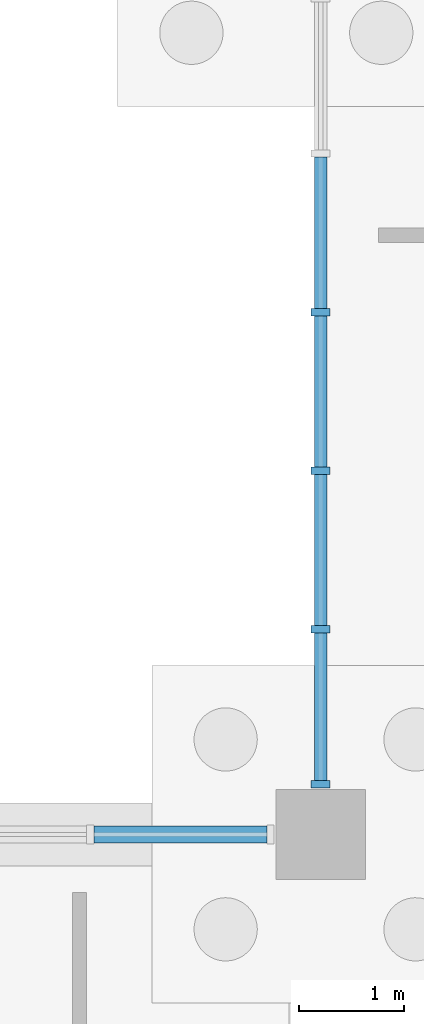
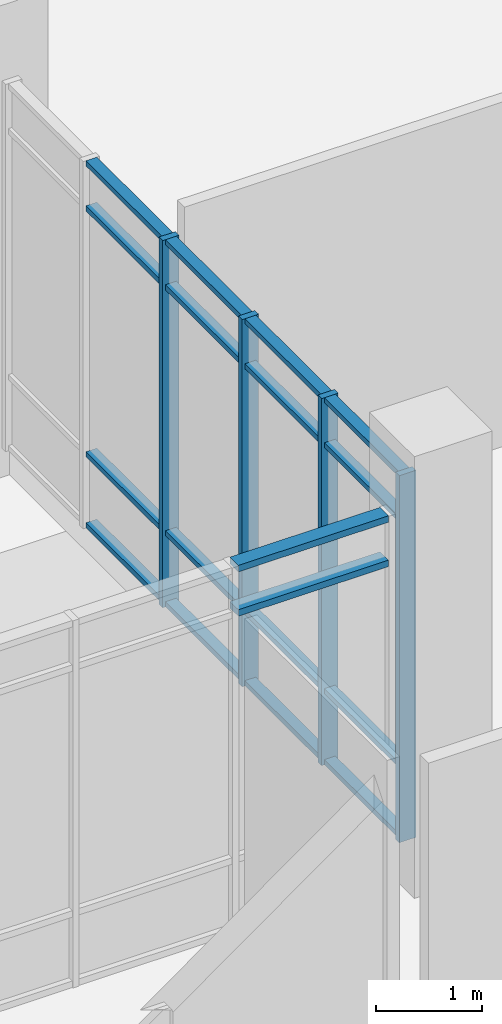
# One storey, part 51 of 136: 22 members, 2 elements without a shape of their own.
"""IFC4 building model written with IfcOpenShell, lengths in metres."""

from ifc_helpers import new_model, si_unit, direction, frame, origin, origin_2d, place, context, subcontext, project, spatial, rectangle, extrude, material, material_profile, profile_set, type_object, element, aggregate, save


model = new_model("IFC4")

# Units and contexts
model_context = context("Model", 3, precision=1e-05, world=origin(), true_north=direction((0.0, 1.0)))
body_context = subcontext(model_context, "Body", "Model", "MODEL_VIEW")
ifc_project = project(units=[si_unit("LENGTHUNIT", "METRE"), si_unit("AREAUNIT", "SQUARE_METRE"), si_unit("VOLUMEUNIT", "CUBIC_METRE"), si_unit("PLANEANGLEUNIT", "RADIAN"), si_unit("MASSUNIT", "GRAM", prefix="KILO")], contexts=[model_context])

# Site, building, storey
site_placement = place(None, origin())
site = spatial("IfcSite", under=ifc_project, at=site_placement, CompositionType="ELEMENT")
building_placement = place(site_placement, origin())
building = spatial("IfcBuilding", under=site, at=building_placement, Name="Oolite Switchyard Hospital", CompositionType="ELEMENT")
storey_placement = place(building_placement, origin())
storey = spatial("IfcBuildingStorey", under=building, at=storey_placement, Name="L00", CompositionType="ELEMENT", Elevation=0.0)

# Curtain wall, members
ifc_material_1 = material(Name="Thermally broken aluminum frame with laminated impact glazing", Category="aluminium")
curtain_wall_type_1 = type_object("IfcCurtainWallType", Name="CW-UNIT-84X51", PredefinedType="USERDEFINED", material=ifc_material_1)
curtain_wall_1_placement = place(storey_placement, origin())
curtain_wall_1 = element("IfcCurtainWall", 1, at=curtain_wall_1_placement, inside=storey, type_object=curtain_wall_type_1, Name="L00 Unitised Curtain Wall 82", ObjectType="UNITISED", PredefinedType="USERDEFINED")
ifc_material_2 = material(Name="Aluminium 6063-T6", Category="aluminium")
ifc_material_profile_1 = material_profile(ifc_material_2, rectangle(XDim=0.179931640625, YDim=0.070068359375, at=origin_2d()), Name="CWM70X180")
ifc_profile_set_1 = profile_set([ifc_material_profile_1], Name="Aluminium 6063-T6")
member_type_1 = type_object("IfcMemberType", Name="CW-MUL-220", PredefinedType="MULLION", material=ifc_profile_set_1)
member_1_placement = place(storey_placement, frame((182.39990234375, 25.675048828125, 0.0), z_axis=(0.0, 0.0, 1.0), x_axis=(-1.0, 0.0, 0.0)))
member_1 = element("IfcMember", 2, at=member_1_placement, type_object=member_type_1, Name="CW-06 mullion 1", PredefinedType="MULLION", context=body_context, shape_type="SweptSolid", body=[
    extrude(rectangle(XDim=0.179931640625, YDim=0.070068359375, at=origin_2d()), origin(), (0.0, 0.0, 1.0), 4.239990234375),
])
member_2_placement = place(storey_placement, frame((182.39990234375, 27.14404296875, 0.0), z_axis=(0.0, 0.0, 1.0), x_axis=(-1.0, 0.0, 0.0)))
member_2 = element("IfcMember", 3, at=member_2_placement, type_object=member_type_1, Name="CW-06 mullion 2", PredefinedType="MULLION", context=body_context, shape_type="SweptSolid", body=[
    extrude(rectangle(XDim=0.179931640625, YDim=0.070068359375, at=origin_2d()), origin(), (0.0, 0.0, 1.0), 4.239990234375),
])
member_3_placement = place(storey_placement, frame((182.39990234375, 28.64794921875, 0.0), z_axis=(0.0, 0.0, 1.0), x_axis=(-1.0, 0.0, 0.0)))
member_3 = element("IfcMember", 4, at=member_3_placement, type_object=member_type_1, Name="CW-06 mullion 3", PredefinedType="MULLION", context=body_context, shape_type="SweptSolid", body=[
    extrude(rectangle(XDim=0.179931640625, YDim=0.070068359375, at=origin_2d()), origin(), (0.0, 0.0, 1.0), 4.239990234375),
])
member_4_placement = place(storey_placement, frame((182.39990234375, 30.152099609375, 0.0), z_axis=(0.0, 0.0, 1.0), x_axis=(-1.0, 0.0, 0.0)))
member_4 = element("IfcMember", 5, at=member_4_placement, type_object=member_type_1, Name="CW-06 mullion 4", PredefinedType="MULLION", context=body_context, shape_type="SweptSolid", body=[
    extrude(rectangle(XDim=0.179931640625, YDim=0.070068359375, at=origin_2d()), origin(), (0.0, 0.0, 1.0), 4.239990234375),
])
ifc_material_profile_2 = material_profile(ifc_material_2, rectangle(XDim=0.1201171875, YDim=0.06005859375, at=origin_2d()), Name="CWT60X120")
ifc_profile_set_2 = profile_set([ifc_material_profile_2], Name="Aluminium 6063-T6")
member_type_2 = type_object("IfcMemberType", Name="CW-TRN-150", PredefinedType="USERDEFINED", material=ifc_profile_set_2)
member_5_placement = place(storey_placement, frame((182.39990234375, 25.7099609375, 0.030029296875), z_axis=(0.0, 1.0, 0.0), x_axis=(-1.0, 0.0, 0.0)))
member_5 = element("IfcMember", 6, at=member_5_placement, type_object=member_type_2, Name="CW-06 transom 1.1", ObjectType="TRANSOM", PredefinedType="USERDEFINED", context=body_context, shape_type="SweptSolid", body=[
    extrude(rectangle(XDim=0.1201171875, YDim=0.06005859375, at=origin_2d()), origin(), (0.0, 0.0, 1.0), 1.39892578125),
])
member_6_placement = place(storey_placement, frame((182.39990234375, 25.7099609375, 0.85009765625), z_axis=(0.0, 1.0, 0.0), x_axis=(-1.0, 0.0, 0.0)))
member_6 = element("IfcMember", 7, at=member_6_placement, type_object=member_type_2, Name="CW-06 transom 1.2", ObjectType="TRANSOM", PredefinedType="USERDEFINED", context=body_context, shape_type="SweptSolid", body=[
    extrude(rectangle(XDim=0.1201171875, YDim=0.06005859375, at=origin_2d()), origin(), (0.0, 0.0, 1.0), 1.39892578125),
])
member_7_placement = place(storey_placement, frame((182.39990234375, 25.7099609375, 3.68994140625), z_axis=(0.0, 1.0, 0.0), x_axis=(-1.0, 0.0, 0.0)))
member_7 = element("IfcMember", 8, at=member_7_placement, type_object=member_type_2, Name="CW-06 transom 1.3", ObjectType="TRANSOM", PredefinedType="USERDEFINED", context=body_context, shape_type="SweptSolid", body=[
    extrude(rectangle(XDim=0.1201171875, YDim=0.06005859375, at=origin_2d()), origin(), (0.0, 0.0, 1.0), 1.39892578125),
])
member_8_placement = place(storey_placement, frame((182.39990234375, 25.7099609375, 4.2099609375), z_axis=(0.0, 1.0, 0.0), x_axis=(-1.0, 0.0, 0.0)))
member_8 = element("IfcMember", 9, at=member_8_placement, type_object=member_type_2, Name="CW-06 transom 1.4", ObjectType="TRANSOM", PredefinedType="USERDEFINED", context=body_context, shape_type="SweptSolid", body=[
    extrude(rectangle(XDim=0.1201171875, YDim=0.06005859375, at=origin_2d()), origin(), (0.0, 0.0, 1.0), 1.39892578125),
])
member_9_placement = place(storey_placement, frame((182.39990234375, 27.178955078125, 0.030029296875), z_axis=(0.0, 1.0, 0.0), x_axis=(-1.0, 0.0, 0.0)))
member_9 = element("IfcMember", 10, at=member_9_placement, type_object=member_type_2, Name="CW-06 transom 2.1", ObjectType="TRANSOM", PredefinedType="USERDEFINED", context=body_context, shape_type="SweptSolid", body=[
    extrude(rectangle(XDim=0.1201171875, YDim=0.06005859375, at=origin_2d()), origin(), (0.0, 0.0, 1.0), 1.43408203125),
])
member_10_placement = place(storey_placement, frame((182.39990234375, 27.178955078125, 0.85009765625), z_axis=(0.0, 1.0, 0.0), x_axis=(-1.0, 0.0, 0.0)))
member_10 = element("IfcMember", 11, at=member_10_placement, type_object=member_type_2, Name="CW-06 transom 2.2", ObjectType="TRANSOM", PredefinedType="USERDEFINED", context=body_context, shape_type="SweptSolid", body=[
    extrude(rectangle(XDim=0.1201171875, YDim=0.06005859375, at=origin_2d()), origin(), (0.0, 0.0, 1.0), 1.43408203125),
])
member_11_placement = place(storey_placement, frame((182.39990234375, 27.178955078125, 3.68994140625), z_axis=(0.0, 1.0, 0.0), x_axis=(-1.0, 0.0, 0.0)))
member_11 = element("IfcMember", 12, at=member_11_placement, type_object=member_type_2, Name="CW-06 transom 2.3", ObjectType="TRANSOM", PredefinedType="USERDEFINED", context=body_context, shape_type="SweptSolid", body=[
    extrude(rectangle(XDim=0.1201171875, YDim=0.06005859375, at=origin_2d()), origin(), (0.0, 0.0, 1.0), 1.43408203125),
])
member_12_placement = place(storey_placement, frame((182.39990234375, 27.178955078125, 4.2099609375), z_axis=(0.0, 1.0, 0.0), x_axis=(-1.0, 0.0, 0.0)))
member_12 = element("IfcMember", 13, at=member_12_placement, type_object=member_type_2, Name="CW-06 transom 2.4", ObjectType="TRANSOM", PredefinedType="USERDEFINED", context=body_context, shape_type="SweptSolid", body=[
    extrude(rectangle(XDim=0.1201171875, YDim=0.06005859375, at=origin_2d()), origin(), (0.0, 0.0, 1.0), 1.43408203125),
])
member_13_placement = place(storey_placement, frame((182.39990234375, 28.68310546875, 0.030029296875), z_axis=(0.0, 1.0, 0.0), x_axis=(-1.0, 0.0, 0.0)))
member_13 = element("IfcMember", 14, at=member_13_placement, type_object=member_type_2, Name="CW-06 transom 3.1", ObjectType="TRANSOM", PredefinedType="USERDEFINED", context=body_context, shape_type="SweptSolid", body=[
    extrude(rectangle(XDim=0.1201171875, YDim=0.06005859375, at=origin_2d()), origin(), (0.0, 0.0, 1.0), 1.433837890625),
])
member_14_placement = place(storey_placement, frame((182.39990234375, 28.68310546875, 0.85009765625), z_axis=(0.0, 1.0, 0.0), x_axis=(-1.0, 0.0, 0.0)))
member_14 = element("IfcMember", 15, at=member_14_placement, type_object=member_type_2, Name="CW-06 transom 3.2", ObjectType="TRANSOM", PredefinedType="USERDEFINED", context=body_context, shape_type="SweptSolid", body=[
    extrude(rectangle(XDim=0.1201171875, YDim=0.06005859375, at=origin_2d()), origin(), (0.0, 0.0, 1.0), 1.433837890625),
])
member_15_placement = place(storey_placement, frame((182.39990234375, 28.68310546875, 3.68994140625), z_axis=(0.0, 1.0, 0.0), x_axis=(-1.0, 0.0, 0.0)))
member_15 = element("IfcMember", 16, at=member_15_placement, type_object=member_type_2, Name="CW-06 transom 3.3", ObjectType="TRANSOM", PredefinedType="USERDEFINED", context=body_context, shape_type="SweptSolid", body=[
    extrude(rectangle(XDim=0.1201171875, YDim=0.06005859375, at=origin_2d()), origin(), (0.0, 0.0, 1.0), 1.433837890625),
])
member_16_placement = place(storey_placement, frame((182.39990234375, 28.68310546875, 4.2099609375), z_axis=(0.0, 1.0, 0.0), x_axis=(-1.0, 0.0, 0.0)))
member_16 = element("IfcMember", 17, at=member_16_placement, type_object=member_type_2, Name="CW-06 transom 3.4", ObjectType="TRANSOM", PredefinedType="USERDEFINED", context=body_context, shape_type="SweptSolid", body=[
    extrude(rectangle(XDim=0.1201171875, YDim=0.06005859375, at=origin_2d()), origin(), (0.0, 0.0, 1.0), 1.433837890625),
])
member_17_placement = place(storey_placement, frame((182.39990234375, 30.18701171875, 0.030029296875), z_axis=(0.0, 1.0, 0.0), x_axis=(-1.0, 0.0, 0.0)))
member_17 = element("IfcMember", 18, at=member_17_placement, type_object=member_type_2, Name="CW-06 transom 4.1", ObjectType="TRANSOM", PredefinedType="USERDEFINED", context=body_context, shape_type="SweptSolid", body=[
    extrude(rectangle(XDim=0.1201171875, YDim=0.06005859375, at=origin_2d()), origin(), (0.0, 0.0, 1.0), 1.43408203125),
])
member_18_placement = place(storey_placement, frame((182.39990234375, 30.18701171875, 0.85009765625), z_axis=(0.0, 1.0, 0.0), x_axis=(-1.0, 0.0, 0.0)))
member_18 = element("IfcMember", 19, at=member_18_placement, type_object=member_type_2, Name="CW-06 transom 4.2", ObjectType="TRANSOM", PredefinedType="USERDEFINED", context=body_context, shape_type="SweptSolid", body=[
    extrude(rectangle(XDim=0.1201171875, YDim=0.06005859375, at=origin_2d()), origin(), (0.0, 0.0, 1.0), 1.43408203125),
])
member_19_placement = place(storey_placement, frame((182.39990234375, 30.18701171875, 3.68994140625), z_axis=(0.0, 1.0, 0.0), x_axis=(-1.0, 0.0, 0.0)))
member_19 = element("IfcMember", 20, at=member_19_placement, type_object=member_type_2, Name="CW-06 transom 4.3", ObjectType="TRANSOM", PredefinedType="USERDEFINED", context=body_context, shape_type="SweptSolid", body=[
    extrude(rectangle(XDim=0.1201171875, YDim=0.06005859375, at=origin_2d()), origin(), (0.0, 0.0, 1.0), 1.43408203125),
])
member_20_placement = place(storey_placement, frame((182.39990234375, 30.18701171875, 4.2099609375), z_axis=(0.0, 1.0, 0.0), x_axis=(-1.0, 0.0, 0.0)))
member_20 = element("IfcMember", 21, at=member_20_placement, type_object=member_type_2, Name="CW-06 transom 4.4", ObjectType="TRANSOM", PredefinedType="USERDEFINED", context=body_context, shape_type="SweptSolid", body=[
    extrude(rectangle(XDim=0.1201171875, YDim=0.06005859375, at=origin_2d()), origin(), (0.0, 0.0, 1.0), 1.43408203125),
])
aggregate(curtain_wall_1, [member_1, member_2, member_3, member_4, member_5, member_6, member_7, member_8, member_9, member_10, member_11, member_12, member_13, member_14, member_15, member_16, member_17, member_18, member_19, member_20])

curtain_wall_type_2 = type_object("IfcCurtainWallType", Name="CW-UNIT-96X51", PredefinedType="USERDEFINED", material=ifc_material_1)
curtain_wall_2_placement = place(storey_placement, origin())
curtain_wall_2 = element("IfcCurtainWall", 22, at=curtain_wall_2_placement, inside=storey, type_object=curtain_wall_type_2, Name="L00 Unitised Curtain Wall 13", ObjectType="UNITISED", PredefinedType="USERDEFINED")
ifc_material_profile_3 = material_profile(ifc_material_2, rectangle(XDim=0.159912109375, YDim=0.074951171875, at=origin_2d()), Name="CWT75X160")
ifc_profile_set_3 = profile_set([ifc_material_profile_3], Name="Aluminium 6063-T6")
member_type_3 = type_object("IfcMemberType", Name="CW-TRN-180", PredefinedType="USERDEFINED", material=ifc_profile_set_3)
member_21_placement = place(storey_placement, frame((180.2509765625, 25.199951171875, 3.68994140625), z_axis=(1.0, 0.0, 0.0), x_axis=(0.0, 1.0, 0.0)))
member_21 = element("IfcMember", 23, at=member_21_placement, type_object=member_type_3, Name="CW-01 transom 5.3", ObjectType="TRANSOM", PredefinedType="USERDEFINED", context=body_context, shape_type="SweptSolid", body=[
    extrude(rectangle(XDim=0.159912109375, YDim=0.074951171875, at=origin_2d()), origin(), (0.0, 0.0, 1.0), 1.638916015625),
])
member_22_placement = place(storey_placement, frame((180.2509765625, 25.199951171875, 4.202392578125), z_axis=(1.0, 0.0, 0.0), x_axis=(0.0, 1.0, 0.0)))
member_22 = element("IfcMember", 24, at=member_22_placement, type_object=member_type_3, Name="CW-01 transom 5.4", ObjectType="TRANSOM", PredefinedType="USERDEFINED", context=body_context, shape_type="SweptSolid", body=[
    extrude(rectangle(XDim=0.159912109375, YDim=0.074951171875, at=origin_2d()), origin(), (0.0, 0.0, 1.0), 1.638916015625),
])
aggregate(curtain_wall_2, [member_21, member_22])

save(model, "model.ifc")
